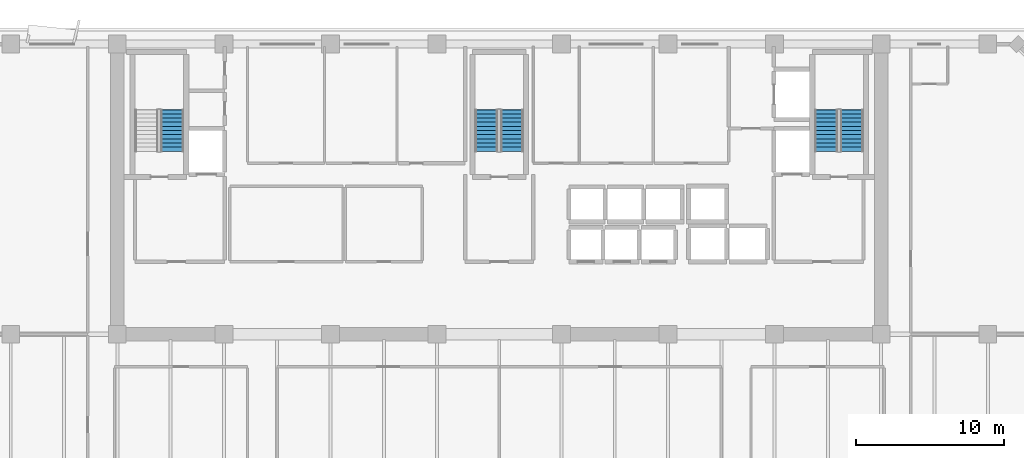
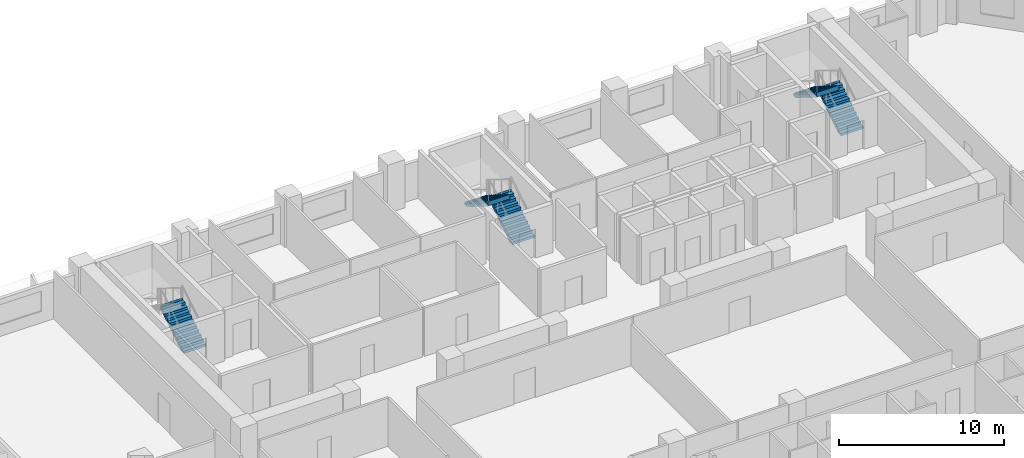
# One storey, part 10 of 15: 5 stair flights, 3 elements without a shape of their own.
"""IFC4 building model written with IfcOpenShell, lengths in metres."""

from ifc_helpers import new_model, si_unit, direction, frame, origin, place, context, subcontext, project, spatial, polyline, outline, extrude, material, type_object, element, aggregate, save


model = new_model("IFC4")

# Units and contexts
model_context = context("Model", 3, precision=1e-05, world=origin(), true_north=direction((0.0, 1.0)))
body_context = subcontext(model_context, "Body", "Model", "MODEL_VIEW")
ifc_project = project(units=[si_unit("LENGTHUNIT", "METRE"), si_unit("AREAUNIT", "SQUARE_METRE"), si_unit("VOLUMEUNIT", "CUBIC_METRE"), si_unit("PLANEANGLEUNIT", "RADIAN"), si_unit("MASSUNIT", "GRAM", prefix="KILO")], contexts=[model_context])

# Site, building, storey
site_placement = place(None, origin())
site = spatial("IfcSite", under=ifc_project, at=site_placement, CompositionType="ELEMENT")
building_placement = place(site_placement, origin())
building = spatial("IfcBuilding", under=site, at=building_placement, Name="Kaelvorn Grand Hotel", CompositionType="ELEMENT")
storey_placement = place(building_placement, frame((0.0, 0.0, 154.35009765625)))
storey = spatial("IfcBuildingStorey", under=building, at=storey_placement, Name="L37", CompositionType="ELEMENT", Elevation=154.35009765625)

# Stair, stair flight
ifc_material = material(Name="Concrete C40/50", Category="concrete")
stair_type = type_object("IfcStairType", Name="STR-DOG-1560-R08", PredefinedType="HALF_TURN_STAIR", material=ifc_material)
stair_1_placement = place(storey_placement, origin())
stair_1 = element("IfcStair", 1, at=stair_1_placement, inside=storey, type_object=stair_type, Name="L37 West Core Exit Stair ST1", PredefinedType="HALF_TURN_STAIR")
stair_flight_type = type_object("IfcStairFlightType", Name="FLG-DOG-1560-R08", PredefinedType="STRAIGHT", material=ifc_material)
stair_flight_1_placement = place(storey_placement, frame((19.89990234375, 41.760009765625, 0.0), z_axis=(0.0, 0.0, 1.0), x_axis=(0.0, 1.0, 0.0)))
stair_flight_1 = element("IfcStairFlight", 2, at=stair_flight_1_placement, type_object=stair_flight_type, Name="ST1 flight 1", NumberOfRisers=11, NumberOfTreads=10, PredefinedType="STRAIGHT", RiserHeight=0.172727273, TreadLength=0.28, context=body_context, shape_type="SweptSolid", body=[
    extrude(outline(polyline([(-0.0048828125, 0.0), (-0.0048828125, 0.0400390625), (0.0, 0.172607421875), (0.280029296875, 0.172607421875), (0.280029296875, 0.345458984375), (0.56005859375, 0.345458984375), (0.56005859375, 0.51806640625), (0.840087890625, 0.51806640625), (0.840087890625, 0.69091796875), (1.1201171875, 0.69091796875), (1.1201171875, 0.863525390625), (1.39990234375, 0.863525390625), (1.39990234375, 1.036376953125), (1.679931640625, 1.036376953125), (1.679931640625, 1.208984375), (1.9599609375, 1.208984375), (1.9599609375, 1.3818359375), (2.239990234375, 1.3818359375), (2.239990234375, 1.554443359375), (2.52001953125, 1.554443359375), (2.52001953125, 1.727294921875), (2.800048828125, 1.727294921875), (2.800048828125, 1.89990234375), (2.804931640625, 1.89990234375), (2.804931640625, 1.551025390625), (0.285400390625, 0.0), (-0.0048828125, 0.0)])), frame((0.0, 0.780029296875, 0.0), z_axis=(0.0, -1.0, 0.0), x_axis=(1.0, 0.0, 0.0)), (0.0, 0.0, 1.0), 1.56005859375),
])
aggregate(stair_1, [stair_flight_1])

# Stair, stair flights
stair_2_placement = place(storey_placement, origin())
stair_2 = element("IfcStair", 3, at=stair_2_placement, inside=storey, type_object=stair_type, Name="L37 Central Core Exit Stair ST2", PredefinedType="HALF_TURN_STAIR")
stair_flight_2_placement = place(storey_placement, frame((42.860107421875, 41.760009765625, 0.0), z_axis=(0.0, 0.0, 1.0), x_axis=(0.0, 1.0, 0.0)))
stair_flight_2 = element("IfcStairFlight", 4, at=stair_flight_2_placement, type_object=stair_flight_type, Name="ST2 flight 1", NumberOfRisers=11, NumberOfTreads=10, PredefinedType="STRAIGHT", RiserHeight=0.172727273, TreadLength=0.28, context=body_context, shape_type="SweptSolid", body=[
    extrude(outline(polyline([(-0.0048828125, 0.0), (-0.0048828125, 0.0400390625), (0.0, 0.172607421875), (0.280029296875, 0.172607421875), (0.280029296875, 0.345458984375), (0.56005859375, 0.345458984375), (0.56005859375, 0.51806640625), (0.840087890625, 0.51806640625), (0.840087890625, 0.69091796875), (1.1201171875, 0.69091796875), (1.1201171875, 0.863525390625), (1.39990234375, 0.863525390625), (1.39990234375, 1.036376953125), (1.679931640625, 1.036376953125), (1.679931640625, 1.208984375), (1.9599609375, 1.208984375), (1.9599609375, 1.3818359375), (2.239990234375, 1.3818359375), (2.239990234375, 1.554443359375), (2.52001953125, 1.554443359375), (2.52001953125, 1.727294921875), (2.800048828125, 1.727294921875), (2.800048828125, 1.89990234375), (2.804931640625, 1.89990234375), (2.804931640625, 1.551025390625), (0.285400390625, 0.0), (-0.0048828125, 0.0)])), frame((0.0, 0.780029296875, 0.0), z_axis=(0.0, -1.0, 0.0), x_axis=(1.0, 0.0, 0.0)), (0.0, 0.0, 1.0), 1.56005859375),
])
stair_flight_3_placement = place(storey_placement, frame((41.139892578125, 44.56005859375, 1.89990234375), z_axis=(0.0, 0.0, 1.0), x_axis=(0.0, -1.0, 0.0)))
stair_flight_3 = element("IfcStairFlight", 5, at=stair_flight_3_placement, type_object=stair_flight_type, Name="ST2 flight 2", NumberOfRisers=11, NumberOfTreads=10, PredefinedType="STRAIGHT", RiserHeight=0.172727273, TreadLength=0.28, context=body_context, shape_type="SweptSolid", body=[
    extrude(outline(polyline([(-0.0048828125, 0.0), (-0.0048828125, 0.0400390625), (0.0, 0.172607421875), (0.280029296875, 0.172607421875), (0.280029296875, 0.345458984375), (0.56005859375, 0.345458984375), (0.56005859375, 0.51806640625), (0.840087890625, 0.51806640625), (0.840087890625, 0.69091796875), (1.1201171875, 0.69091796875), (1.1201171875, 0.863525390625), (1.39990234375, 0.863525390625), (1.39990234375, 1.036376953125), (1.679931640625, 1.036376953125), (1.679931640625, 1.208984375), (1.9599609375, 1.208984375), (1.9599609375, 1.3818359375), (2.239990234375, 1.3818359375), (2.239990234375, 1.554443359375), (2.52001953125, 1.554443359375), (2.52001953125, 1.727294921875), (2.800048828125, 1.727294921875), (2.800048828125, 1.89990234375), (2.804931640625, 1.89990234375), (2.804931640625, 1.551025390625), (0.285400390625, 0.0), (-0.0048828125, 0.0)])), frame((0.0, 0.780029296875, 0.0), z_axis=(0.0, -1.0, 0.0), x_axis=(1.0, 0.0, 0.0)), (0.0, 0.0, 1.0), 1.56005859375),
])
aggregate(stair_2, [stair_flight_2, stair_flight_3])

stair_3_placement = place(storey_placement, origin())
stair_3 = element("IfcStair", 6, at=stair_3_placement, inside=storey, type_object=stair_type, Name="L37 East Core Exit Stair ST3", PredefinedType="HALF_TURN_STAIR")
stair_flight_4_placement = place(storey_placement, frame((65.820068359375, 41.760009765625, 0.0), z_axis=(0.0, 0.0, 1.0), x_axis=(0.0, 1.0, 0.0)))
stair_flight_4 = element("IfcStairFlight", 7, at=stair_flight_4_placement, type_object=stair_flight_type, Name="ST3 flight 1", NumberOfRisers=11, NumberOfTreads=10, PredefinedType="STRAIGHT", RiserHeight=0.172727273, TreadLength=0.28, context=body_context, shape_type="SweptSolid", body=[
    extrude(outline(polyline([(-0.0048828125, 0.0), (-0.0048828125, 0.0400390625), (0.0, 0.172607421875), (0.280029296875, 0.172607421875), (0.280029296875, 0.345458984375), (0.56005859375, 0.345458984375), (0.56005859375, 0.51806640625), (0.840087890625, 0.51806640625), (0.840087890625, 0.69091796875), (1.1201171875, 0.69091796875), (1.1201171875, 0.863525390625), (1.39990234375, 0.863525390625), (1.39990234375, 1.036376953125), (1.679931640625, 1.036376953125), (1.679931640625, 1.208984375), (1.9599609375, 1.208984375), (1.9599609375, 1.3818359375), (2.239990234375, 1.3818359375), (2.239990234375, 1.554443359375), (2.52001953125, 1.554443359375), (2.52001953125, 1.727294921875), (2.800048828125, 1.727294921875), (2.800048828125, 1.89990234375), (2.804931640625, 1.89990234375), (2.804931640625, 1.551025390625), (0.285400390625, 0.0), (-0.0048828125, 0.0)])), frame((0.0, 0.780029296875, 0.0), z_axis=(0.0, -1.0, 0.0), x_axis=(1.0, 0.0, 0.0)), (0.0, 0.0, 1.0), 1.56005859375),
])
stair_flight_5_placement = place(storey_placement, frame((64.10009765625, 44.56005859375, 1.89990234375), z_axis=(0.0, 0.0, 1.0), x_axis=(0.0, -1.0, 0.0)))
stair_flight_5 = element("IfcStairFlight", 8, at=stair_flight_5_placement, type_object=stair_flight_type, Name="ST3 flight 2", NumberOfRisers=11, NumberOfTreads=10, PredefinedType="STRAIGHT", RiserHeight=0.172727273, TreadLength=0.28, context=body_context, shape_type="SweptSolid", body=[
    extrude(outline(polyline([(-0.0048828125, 0.0), (-0.0048828125, 0.0400390625), (0.0, 0.172607421875), (0.280029296875, 0.172607421875), (0.280029296875, 0.345458984375), (0.56005859375, 0.345458984375), (0.56005859375, 0.51806640625), (0.840087890625, 0.51806640625), (0.840087890625, 0.69091796875), (1.1201171875, 0.69091796875), (1.1201171875, 0.863525390625), (1.39990234375, 0.863525390625), (1.39990234375, 1.036376953125), (1.679931640625, 1.036376953125), (1.679931640625, 1.208984375), (1.9599609375, 1.208984375), (1.9599609375, 1.3818359375), (2.239990234375, 1.3818359375), (2.239990234375, 1.554443359375), (2.52001953125, 1.554443359375), (2.52001953125, 1.727294921875), (2.800048828125, 1.727294921875), (2.800048828125, 1.89990234375), (2.804931640625, 1.89990234375), (2.804931640625, 1.551025390625), (0.285400390625, 0.0), (-0.0048828125, 0.0)])), frame((0.0, 0.780029296875, 0.0), z_axis=(0.0, -1.0, 0.0), x_axis=(1.0, 0.0, 0.0)), (0.0, 0.0, 1.0), 1.56005859375),
])
aggregate(stair_3, [stair_flight_4, stair_flight_5])

save(model, "model.ifc")
